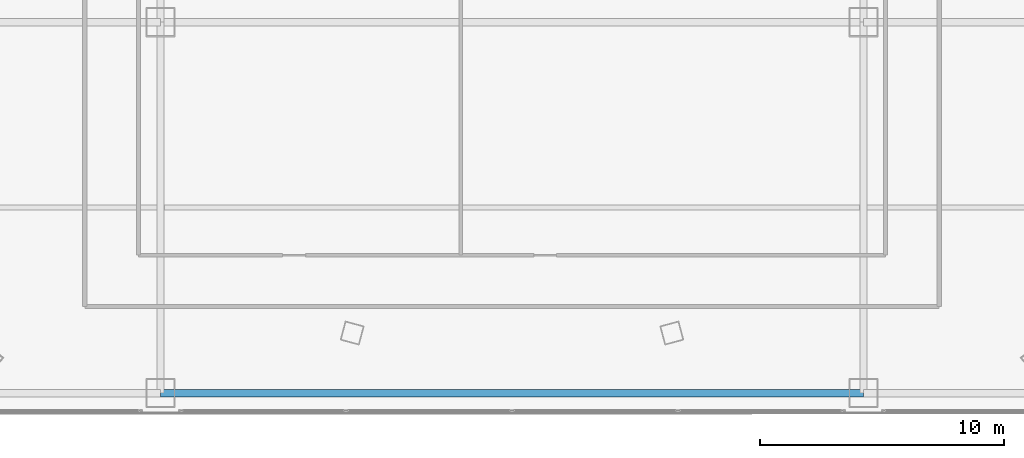
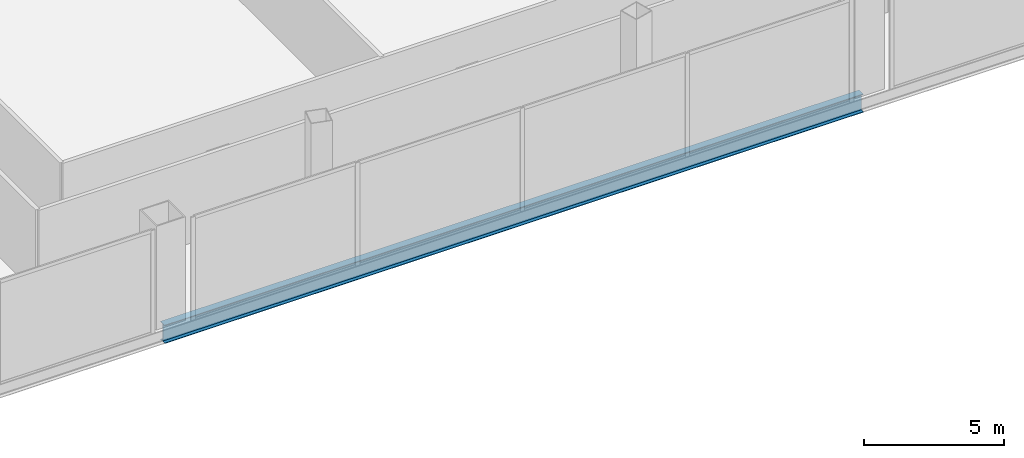
# One storey, part 8 of 27: 1 beam.
"""IFC4 building model written with IfcOpenShell, lengths in metres."""

from ifc_helpers import new_model, si_unit, direction, frame, origin, origin_2d, place, context, subcontext, project, spatial, i_section, extrude, source, transform, mapped, material, material_profile, profile_set, type_object, element, save


model = new_model("IFC4")

# Units and contexts
model_context = context("Model", 3, precision=1e-05, world=origin(), true_north=direction((0.0, 1.0)))
body_context = subcontext(model_context, "Body", "Model", "MODEL_VIEW")
ifc_project = project(units=[si_unit("LENGTHUNIT", "METRE"), si_unit("AREAUNIT", "SQUARE_METRE"), si_unit("VOLUMEUNIT", "CUBIC_METRE"), si_unit("PLANEANGLEUNIT", "RADIAN"), si_unit("MASSUNIT", "GRAM", prefix="KILO"), si_unit("THERMODYNAMICTEMPERATUREUNIT", "KELVIN"), si_unit("POWERUNIT", "WATT")], contexts=[model_context])

# Site, building, storey
site_placement = place(None, origin())
site = spatial("IfcSite", under=ifc_project, at=site_placement, CompositionType="ELEMENT")
building_placement = place(site_placement, origin())
building = spatial("IfcBuilding", under=site, at=building_placement, Name="Yunzhuo Pagoda Commons", CompositionType="ELEMENT")
storey_placement = place(building_placement, frame((0.0, 0.0, 9.60009765625)))
storey = spatial("IfcBuildingStorey", under=building, at=storey_placement, Name="L03", CompositionType="ELEMENT", Elevation=9.60009765625)

# Beam
ifc_material = material(Name="Structural steel Q355B", Category="steel")
ifc_material_profile = material_profile(ifc_material, i_section(OverallWidth=0.300048828125, OverallDepth=0.800048828125, WebThickness=0.013916015625, FlangeThickness=0.02587890625, at=origin_2d()), Name="Structural steel Q355B")
ifc_profile_set = profile_set([ifc_material_profile], Name="Structural steel Q355B")
beam_type = type_object("IfcBeamType", Name="B-PD2 Beam HN 800x300x14x26", PredefinedType="BEAM", material=ifc_profile_set)
shared_shape = source(origin(), body_context, "Body", "SweptSolid", [
    extrude(i_section(OverallWidth=0.300048828125, OverallDepth=0.800048828125, WebThickness=0.013916015625, FlangeThickness=0.02587890625, at=origin_2d()), origin(), (0.0, 0.0, 1.0), 28.7998046875),
])
beam_placement = place(storey_placement, frame((33.60009765625, 6.800048828125, -0.68017578125), z_axis=(1.0, 0.0, 0.0), x_axis=(0.0, 1.0, 0.0)))
element("IfcBeam", 1, at=beam_placement, inside=storey, type_object=beam_type, Name="L03 podium girder EW 1.3", PredefinedType="BEAM", context=body_context, shape_type="MappedRepresentation", body=[
    mapped(shared_shape, transform((0.0, 0.0, 0.0), scale=1.0)),
])

save(model, "model.ifc")
